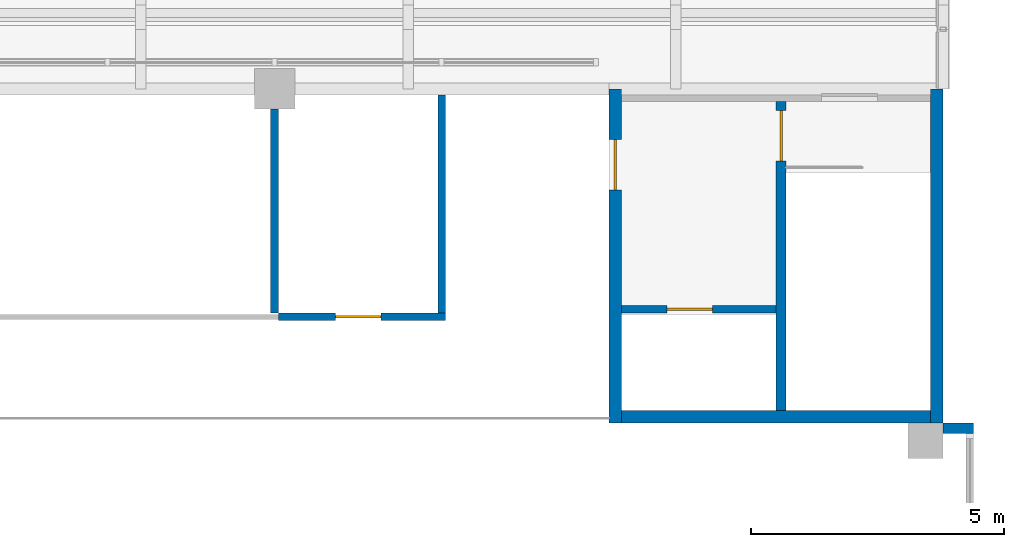
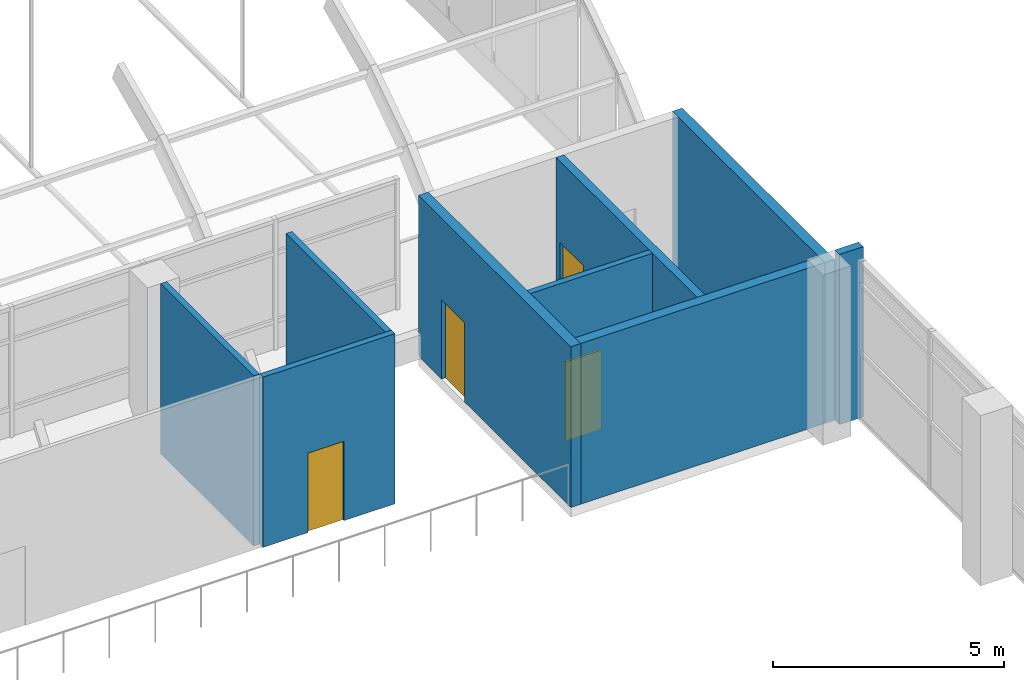
# One storey, part 47 of 102: 9 walls, 4 doors, 4 openings.
"""IFC4 building model written with IfcOpenShell, lengths in metres."""

from ifc_helpers import new_model, si_unit, direction, frame, frame_2d, origin, place, context, subcontext, project, spatial, rectangle, extrude, material, layer, layer_set, type_object, element, fill, save


model = new_model("IFC4")

# Units and contexts
model_context = context("Model", 3, precision=1e-05, world=origin(), true_north=direction((0.0, 1.0)))
body_context = subcontext(model_context, "Body", "Model", "MODEL_VIEW")
ifc_project = project(units=[si_unit("LENGTHUNIT", "METRE"), si_unit("AREAUNIT", "SQUARE_METRE"), si_unit("VOLUMEUNIT", "CUBIC_METRE"), si_unit("PLANEANGLEUNIT", "RADIAN"), si_unit("MASSUNIT", "GRAM", prefix="KILO")], contexts=[model_context])

# Site, building, storey
site_placement = place(None, origin())
site = spatial("IfcSite", under=ifc_project, at=site_placement, CompositionType="ELEMENT")
building_placement = place(site_placement, origin())
building = spatial("IfcBuilding", under=site, at=building_placement, Name="Lantern Court Research Institute", CompositionType="ELEMENT")
storey_placement = place(building_placement, frame((0.0, 0.0, 9.89990234375)))
storey = spatial("IfcBuildingStorey", under=building, at=storey_placement, Name="L02", CompositionType="ELEMENT", Elevation=9.89990234375)

# Wall, opening, door
ifc_material_1 = material(Name="Gypsum board on metal studs")
ifc_layer_1 = layer(ifc_material_1, 0.14990234375)
ifc_layer_set_1 = layer_set([ifc_layer_1], Name="Gypsum board on metal studs")
wall_type_1 = type_object("IfcWallType", Name="Fire partition 150 mm EI 60", PredefinedType="PARTITIONING", material=ifc_layer_set_1)
wall_1_placement = place(storey_placement, frame((66.074951171875, 51.60009765625, 0.0), z_axis=(0.0, 0.0, 1.0), x_axis=(1.0, 0.0, 0.0)))
wall_1 = element("IfcWall", 1, at=wall_1_placement, inside=storey, type_object=wall_type_1, Name="Wall V2-L02-007", PredefinedType="PARTITIONING", context=body_context, shape_type="SweptSolid", body=[
    extrude(rectangle(XDim=3.300048828125, YDim=0.14990234375, at=frame_2d((1.64990234375, 0.0))), origin(), (0.0, 0.0, 1.0), 4.5),
])
opening_1_placement = place(wall_1_placement, frame((1.125, 0.0, 0.0)))
opening_1 = element("IfcOpeningElement", 2, at=opening_1_placement, cuts=wall_1, Name="Opening D2203", PredefinedType="OPENING", context=body_context, shape_type="SweptSolid", body=[
    extrude(rectangle(XDim=0.89990234375, YDim=2.10009765625, at=frame_2d((0.449951171875, 1.050048828125))), frame((0.0, 0.0849609375, 0.0), z_axis=(0.0, -1.0, 0.0), x_axis=(1.0, 0.0, 0.0)), (0.0, 0.0, 1.0), 0.169921875),
])
ifc_material_2 = material(Name="Coated metal door leaf")
door_type_1 = type_object("IfcDoorType", Name="Door 900 x 2100 store FD60", OperationType="NOTDEFINED", PredefinedType="DOOR", material=ifc_material_2)
door_1_placement = place(opening_1_placement, origin())
door_1 = element("IfcDoor", 3, at=door_1_placement, inside=storey, type_object=door_type_1, Name="Door D2203", OperationType="SINGLE_SWING_RIGHT", OverallHeight=2.10009765625, OverallWidth=0.89990234375, PredefinedType="DOOR", context=body_context, shape_type="SweptSolid", body=[
    extrude(rectangle(XDim=0.89990234375, YDim=2.10009765625, at=frame_2d((0.449951171875, 1.050048828125))), frame((0.0, 0.02490234375, 0.0), z_axis=(0.0, -1.0, 0.0), x_axis=(1.0, 0.0, 0.0)), (0.0, 0.0, 1.0), 0.050048828125),
])
fill(opening_1, door_1)

# Walls
wall_2_placement = place(storey_placement, frame((66.0, 51.675048828125, 0.0), z_axis=(0.0, 0.0, 1.0), x_axis=(0.0, 1.0, 0.0)))
element("IfcWall", 4, at=wall_2_placement, inside=storey, type_object=wall_type_1, Name="Wall V2-L02-011", PredefinedType="PARTITIONING", context=body_context, shape_type="SweptSolid", body=[
    extrude(rectangle(XDim=4.02490234375, YDim=0.14990234375, at=frame_2d((2.012451171875, 0.0))), origin(), (0.0, 0.0, 1.0), 4.5),
])
wall_3_placement = place(storey_placement, frame((69.300048828125, 51.675048828125, 0.0), z_axis=(0.0, 0.0, 1.0), x_axis=(0.0, 1.0, 0.0)))
element("IfcWall", 5, at=wall_3_placement, inside=storey, type_object=wall_type_1, Name="Wall V2-L02-012", PredefinedType="PARTITIONING", context=body_context, shape_type="SweptSolid", body=[
    extrude(rectangle(XDim=4.304931640625, YDim=0.14990234375, at=frame_2d((2.15234375, 0.0))), origin(), (0.0, 0.0, 1.0), 4.5),
])

# Wall, opening, door
ifc_material_3 = material(Name="Concrete C40/50", Category="concrete")
ifc_layer_2 = layer(ifc_material_3, 0.25)
ifc_layer_set_2 = layer_set([ifc_layer_2], Name="Concrete C40/50")
wall_type_2 = type_object("IfcWallType", Name="RC core wall 250", PredefinedType="SHEAR", material=ifc_layer_set_2)
wall_4_placement = place(storey_placement, frame((72.72509765625, 56.10009765625, 0.0), z_axis=(0.0, 0.0, 1.0), x_axis=(0.0, -1.0, 0.0)))
wall_4 = element("IfcWall", 6, at=wall_4_placement, inside=storey, type_object=wall_type_2, Name="West wall of core HC-B", PredefinedType="SHEAR", context=body_context, shape_type="SweptSolid", body=[
    extrude(rectangle(XDim=6.60009765625, YDim=0.25, at=frame_2d((3.300048828125, 0.0))), origin(), (0.0, 0.0, 1.0), 4.25),
])
opening_2_placement = place(wall_4_placement, frame((1.0, 0.0, 0.0)))
opening_2 = element("IfcOpeningElement", 7, at=opening_2_placement, cuts=wall_4, Name="Opening D7321", PredefinedType="OPENING", context=body_context, shape_type="SweptSolid", body=[
    extrude(rectangle(XDim=1.0, YDim=2.10009765625, at=frame_2d((0.5, 1.050048828125))), frame((0.0, 0.135009765625, 0.0), z_axis=(0.0, -1.0, 0.0), x_axis=(1.0, 0.0, 0.0)), (0.0, 0.0, 1.0), 0.27001953125),
])
ifc_material_4 = material(Name="Steel fire door leaf with smoke seals", Category="steel")
door_type_2 = type_object("IfcDoorType", Name="Door 1000 x 2100 fire rated FD60S", OperationType="NOTDEFINED", PredefinedType="DOOR", material=ifc_material_4)
door_2_placement = place(opening_2_placement, origin())
door_2 = element("IfcDoor", 8, at=door_2_placement, inside=storey, type_object=door_type_2, Name="Lobby door", OperationType="SINGLE_SWING_RIGHT", OverallHeight=2.10009765625, OverallWidth=1.0, PredefinedType="DOOR", context=body_context, shape_type="SweptSolid", body=[
    extrude(rectangle(XDim=1.0, YDim=2.10009765625, at=frame_2d((0.5, 1.050048828125))), frame((0.0, 0.02490234375, 0.0), z_axis=(0.0, -1.0, 0.0), x_axis=(1.0, 0.0, 0.0)), (0.0, 0.0, 1.0), 0.050048828125),
])
fill(opening_2, door_2)

# Walls
ifc_material_5 = material(Name="Concrete C40/50", Category="concrete")
ifc_layer_3 = layer(ifc_material_5, 0.25)
ifc_layer_set_3 = layer_set([ifc_layer_3], Name="Concrete C40/50")
wall_type_3 = type_object("IfcWallType", Name="RC core wall 250 facade", PredefinedType="SHEAR", material=ifc_layer_set_3)
wall_5_placement = place(storey_placement, frame((79.074951171875, 56.10009765625, 0.0), z_axis=(0.0, 0.0, 1.0), x_axis=(0.0, -1.0, 0.0)))
element("IfcWall", 9, at=wall_5_placement, inside=storey, type_object=wall_type_3, Name="East wall of core HC-B", PredefinedType="SHEAR", context=body_context, shape_type="SweptSolid", body=[
    extrude(rectangle(XDim=6.60009765625, YDim=0.25, at=frame_2d((3.300048828125, 0.0))), origin(), (0.0, 0.0, 1.0), 4.25),
])
wall_6_placement = place(storey_placement, frame((72.85009765625, 49.625, 0.0), z_axis=(0.0, 0.0, 1.0), x_axis=(1.0, 0.0, 0.0)))
element("IfcWall", 10, at=wall_6_placement, inside=storey, type_object=wall_type_3, Name="South wall of core HC-B", PredefinedType="SHEAR", context=body_context, shape_type="SweptSolid", body=[
    extrude(rectangle(XDim=6.099853515625, YDim=0.25, at=frame_2d((3.0498046875, 0.0))), origin(), (0.0, 0.0, 1.0), 4.25),
])

# Wall, opening, door
ifc_material_6 = material(Name="Concrete C40/50", Category="concrete")
ifc_layer_4 = layer(ifc_material_6, 0.14990234375)
ifc_layer_set_4 = layer_set([ifc_layer_4], Name="Concrete C40/50")
wall_type_4 = type_object("IfcWallType", Name="RC shaft wall 150", PredefinedType="SHEAR", material=ifc_layer_set_4)
wall_7_placement = place(storey_placement, frame((72.85009765625, 51.75, 0.0), z_axis=(0.0, 0.0, 1.0), x_axis=(1.0, 0.0, 0.0)))
wall_7 = element("IfcWall", 11, at=wall_7_placement, inside=storey, type_object=wall_type_4, Name="Riser wall of core HC-B", PredefinedType="SHEAR", context=body_context, shape_type="SweptSolid", body=[
    extrude(rectangle(XDim=3.0498046875, YDim=0.14990234375, at=frame_2d((1.52490234375, 0.0))), origin(), (0.0, 0.0, 1.0), 4.25),
])
opening_3_placement = place(wall_7_placement, frame((0.89990234375, 0.0, 0.0)))
opening_3 = element("IfcOpeningElement", 12, at=opening_3_placement, cuts=wall_7, Name="Opening D7320", PredefinedType="OPENING", context=body_context, shape_type="SweptSolid", body=[
    extrude(rectangle(XDim=0.89990234375, YDim=2.10009765625, at=frame_2d((0.449951171875, 1.050048828125))), frame((0.0, 0.0849609375, 0.0), z_axis=(0.0, -1.0, 0.0), x_axis=(1.0, 0.0, 0.0)), (0.0, 0.0, 1.0), 0.169921875),
])
ifc_material_7 = material(Name="Steel fire door leaf", Category="steel")
door_type_3 = type_object("IfcDoorType", Name="Door 900 x 2100 fire rated FD60", OperationType="NOTDEFINED", PredefinedType="DOOR", material=ifc_material_7)
door_3_placement = place(opening_3_placement, origin())
door_3 = element("IfcDoor", 13, at=door_3_placement, inside=storey, type_object=door_type_3, Name="Riser door", OperationType="SINGLE_SWING_RIGHT", OverallHeight=2.10009765625, OverallWidth=0.89990234375, PredefinedType="DOOR", context=body_context, shape_type="SweptSolid", body=[
    extrude(rectangle(XDim=0.89990234375, YDim=2.10009765625, at=frame_2d((0.449951171875, 1.050048828125))), frame((0.0, 0.02490234375, 0.0), z_axis=(0.0, -1.0, 0.0), x_axis=(1.0, 0.0, 0.0)), (0.0, 0.0, 1.0), 0.050048828125),
])
fill(opening_3, door_3)

ifc_material_8 = material(Name="Concrete C40/50", Category="concrete")
ifc_layer_5 = layer(ifc_material_8, 0.199951171875)
ifc_layer_set_5 = layer_set([ifc_layer_5], Name="Concrete C40/50")
wall_type_5 = type_object("IfcWallType", Name="RC shaft wall 200", PredefinedType="SHEAR", material=ifc_layer_set_5)
wall_8_placement = place(storey_placement, frame((76.0, 55.85009765625, 0.0), z_axis=(0.0, 0.0, 1.0), x_axis=(0.0, -1.0, 0.0)))
wall_8 = element("IfcWall", 14, at=wall_8_placement, inside=storey, type_object=wall_type_5, Name="Stair wall of core HC-B", PredefinedType="SHEAR", context=body_context, shape_type="SweptSolid", body=[
    extrude(rectangle(XDim=6.10009765625, YDim=0.199951171875, at=frame_2d((3.050048828125, 0.0))), origin(), (0.0, 0.0, 1.0), 4.25),
])
opening_4_placement = place(wall_8_placement, frame((0.175048828125, 0.0, 0.0)))
opening_4 = element("IfcOpeningElement", 15, at=opening_4_placement, cuts=wall_8, Name="Opening D7322", PredefinedType="OPENING", context=body_context, shape_type="SweptSolid", body=[
    extrude(rectangle(XDim=1.0, YDim=2.10009765625, at=frame_2d((0.5, 1.050048828125))), frame((0.0, 0.10986328125, 0.0), z_axis=(0.0, -1.0, 0.0), x_axis=(1.0, 0.0, 0.0)), (0.0, 0.0, 1.0), 0.219970703125),
])
door_4_placement = place(opening_4_placement, origin())
door_4 = element("IfcDoor", 16, at=door_4_placement, inside=storey, type_object=door_type_2, Name="Stair door", OperationType="SINGLE_SWING_RIGHT", OverallHeight=2.10009765625, OverallWidth=1.0, PredefinedType="DOOR", context=body_context, shape_type="SweptSolid", body=[
    extrude(rectangle(XDim=1.0, YDim=2.10009765625, at=frame_2d((0.5, 1.050048828125))), frame((0.0, 0.02490234375, 0.0), z_axis=(0.0, -1.0, 0.0), x_axis=(1.0, 0.0, 0.0)), (0.0, 0.0, 1.0), 0.050048828125),
])
fill(opening_4, door_4)

# Wall
ifc_material_9 = material(Name="Concrete C40/50", Category="concrete")
ifc_layer_6 = layer(ifc_material_9, 0.199951171875)
ifc_layer_set_6 = layer_set([ifc_layer_6], Name="Concrete C40/50")
wall_type_6 = type_object("IfcWallType", Name="Return wall 200 concrete EI 120 aluminium faced", PredefinedType="STANDARD", material=ifc_layer_set_6)
wall_9_placement = place(storey_placement, frame((79.199951171875, 49.39990234375, 0.0), z_axis=(0.0, 0.0, 1.0), x_axis=(1.0, 0.0, 0.0)))
element("IfcWall", 17, at=wall_9_placement, inside=storey, type_object=wall_type_6, Name="Core return wall 21", PredefinedType="STANDARD", context=body_context, shape_type="SweptSolid", body=[
    extrude(rectangle(XDim=0.60009765625, YDim=0.199951171875, at=frame_2d((0.300048828125, 0.0))), origin(), (0.0, 0.0, 1.0), 4.5),
])

save(model, "model.ifc")
